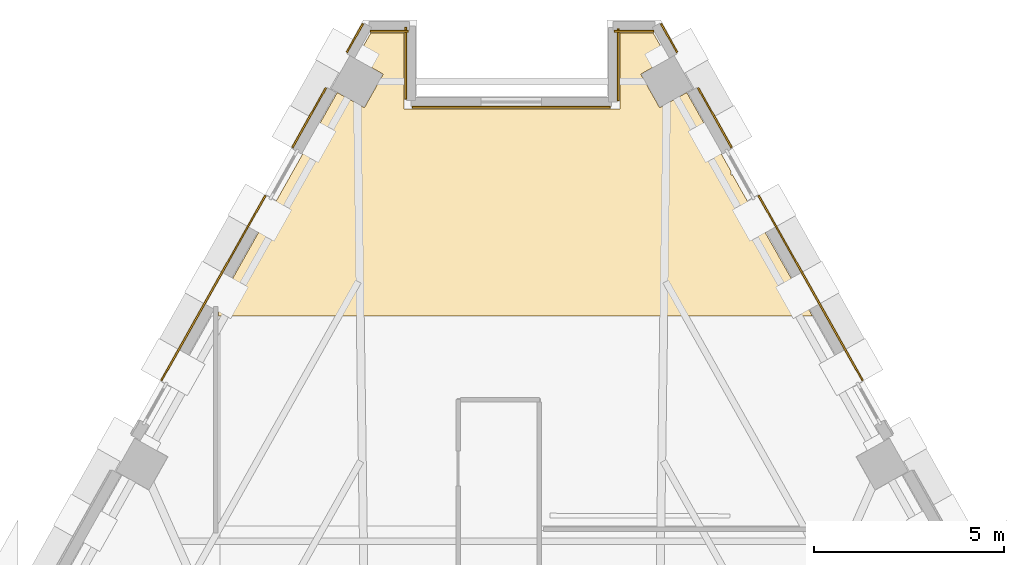
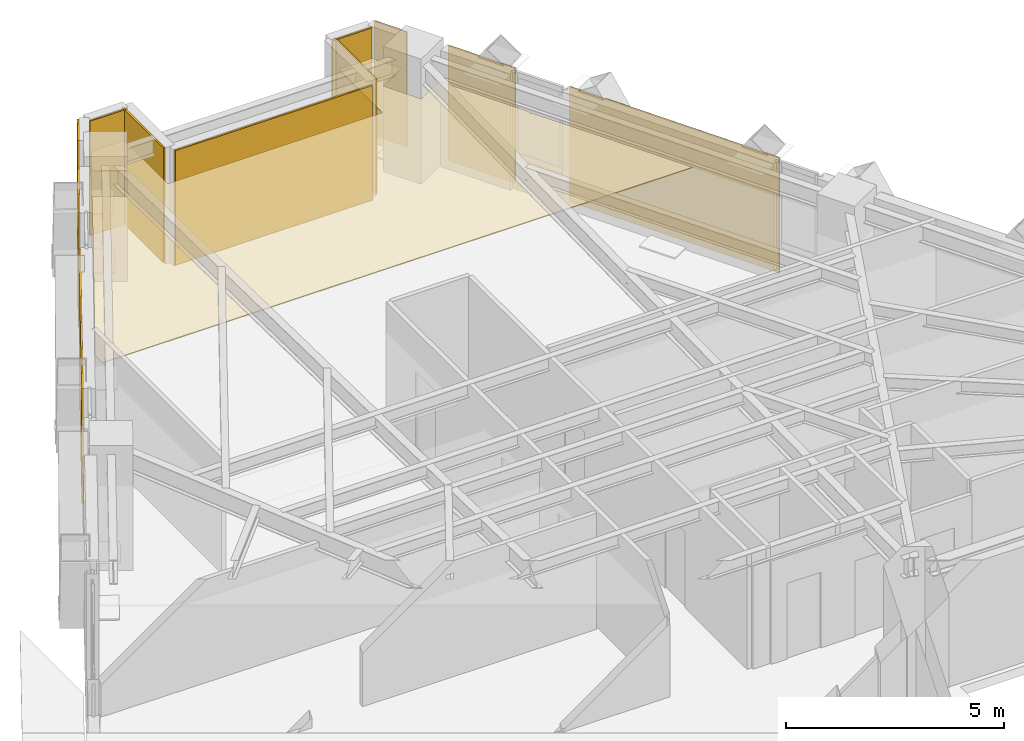
# One storey, part 13 of 13: 12 coverings.
"""IFC4 building model written with IfcOpenShell, lengths in metres."""

from ifc_helpers import new_model, si_unit, direction, frame, origin, place, context, subcontext, project, spatial, polyline, outline, extrude, material, layer, layer_set, type_object, element, save


model = new_model("IFC4")

# Units and contexts
model_context = context("Model", 3, precision=1e-05, world=origin(), true_north=direction((0.0, 1.0)))
body_context = subcontext(model_context, "Body", "Model", "MODEL_VIEW")
ifc_project = project(units=[si_unit("LENGTHUNIT", "METRE"), si_unit("AREAUNIT", "SQUARE_METRE"), si_unit("VOLUMEUNIT", "CUBIC_METRE"), si_unit("PLANEANGLEUNIT", "RADIAN"), si_unit("MASSUNIT", "GRAM", prefix="KILO")], contexts=[model_context])

# Site, building, storey
site_placement = place(None, origin())
site = spatial("IfcSite", under=ifc_project, at=site_placement, CompositionType="ELEMENT")
building_placement = place(site_placement, origin())
building = spatial("IfcBuilding", under=site, at=building_placement, Name="Quenlor Broadcast Tower", CompositionType="ELEMENT")
storey_placement = place(building_placement, frame((0.0, 0.0, 130.0)))
storey = spatial("IfcBuildingStorey", under=building, at=storey_placement, Name="L35", CompositionType="ELEMENT", Elevation=130.0)

# Coverings
ifc_material_1 = material(Name="Acoustic Mineral Fibre Board", Category="other")
ifc_layer_1 = layer(ifc_material_1, 0.02490234375)
ifc_layer_set_1 = layer_set([ifc_layer_1], Name="Acoustic Perforated Mineral Tile Ceiling 25")
covering_type_1 = type_object("IfcCoveringType", Name="Acoustic Perforated Mineral Tile Ceiling 25", PredefinedType="CEILING", material=ifc_layer_set_1)
covering_1_placement = place(storey_placement, frame((0.0, 0.0, 2.375)))
element("IfcCovering", 1, at=covering_1_placement, inside=storey, type_object=covering_type_1, Name="L35 Acoustic Ceiling L35-28-2", PredefinedType="CEILING", context=body_context, shape_type="SweptSolid", body=[
    extrude(outline(polyline([(-7.719970703125, 12.98193359375), (-4.598388671875, 18.53125), (-3.885498046875, 18.13037109375), (-3.387451171875, 19.015869140625), (-4.100341796875, 19.416748046875), (-3.71630859375, 20.10009765625), (-2.840087890625, 20.10009765625), (-2.840087890625, 18.10009765625), (2.840087890625, 18.10009765625), (2.840087890625, 20.10009765625), (3.71630859375, 20.10009765625), (4.100341796875, 19.416748046875), (3.387451171875, 19.015869140625), (3.885498046875, 18.13037109375), (4.598388671875, 18.53125), (5.760009765625, 16.466552734375), (5.760009765625, 16.343017578125), (5.773193359375, 16.3583984375), (5.795654296875, 16.377197265625), (7.525390625, 13.327880859375), (7.90673828125, 12.64990234375), (-7.719970703125, 12.64990234375), (-7.719970703125, 12.98193359375)])), origin(), (0.0, 0.0, 1.0), 0.02490234375),
])
ifc_material_2 = material(Name="Architectural Terracotta Ceramic", Category="masonry")
ifc_layer_2 = layer(ifc_material_2, 0.044921875)
ifc_layer_set_2 = layer_set([ifc_layer_2], Name="Fluted Terracotta Rainscreen Cladding Panel")
covering_type_2 = type_object("IfcCoveringType", Name="Fluted Terracotta Rainscreen Cladding Panel", PredefinedType="CLADDING", material=ifc_layer_set_2)
covering_2_placement = place(storey_placement, frame((0.0, 0.0, 0.02001953125)))
element("IfcCovering", 2, at=covering_2_placement, inside=storey, type_object=covering_type_2, Name="L35 Terracotta Rainscreen Cladding L35-SHD-NES0", PredefinedType="CLADDING", context=body_context, shape_type="SweptSolid", body=[
    extrude(outline(polyline([(3.904296875, 20.330810546875), (4.32861328125, 19.576171875), (4.367919921875, 19.59814453125), (3.943359375, 20.352783203125), (3.904296875, 20.330810546875)])), origin(), (0.0, 0.0, 1.0), 3.2099609375),
])
covering_3_placement = place(storey_placement, frame((0.0, 0.0, 0.02001953125)))
element("IfcCovering", 3, at=covering_3_placement, inside=storey, type_object=covering_type_2, Name="L35 Terracotta Rainscreen Cladding L35-NEA-SP1", PredefinedType="CLADDING", context=body_context, shape_type="SweptSolid", body=[
    extrude(outline(polyline([(4.880615234375, 18.635986328125), (5.760986328125, 17.070556640625), (5.80029296875, 17.092529296875), (4.919677734375, 18.657958984375), (4.880615234375, 18.635986328125)])), origin(), (0.0, 0.0, 1.0), 3.2099609375),
])
covering_4_placement = place(storey_placement, frame((0.0, 0.0, 0.02001953125)))
element("IfcCovering", 4, at=covering_4_placement, inside=storey, type_object=covering_type_2, Name="L35 Terracotta Rainscreen Cladding L35-NEA-SP2", PredefinedType="CLADDING", context=body_context, shape_type="SweptSolid", body=[
    extrude(outline(polyline([(6.4716796875, 15.806884765625), (9.208984375, 10.940673828125), (9.248291015625, 10.962646484375), (6.510986328125, 15.8291015625), (6.4716796875, 15.806884765625)])), origin(), (0.0, 0.0, 1.0), 3.2099609375),
])
covering_5_placement = place(storey_placement, frame((0.0, 0.0, 0.02001953125)))
element("IfcCovering", 5, at=covering_5_placement, inside=storey, type_object=covering_type_2, Name="L35 Terracotta Rainscreen Cladding L35-SHD-NWS1", PredefinedType="CLADDING", context=body_context, shape_type="SweptSolid", body=[
    extrude(outline(polyline([(-4.32861328125, 19.576171875), (-3.904296875, 20.330810546875), (-3.943359375, 20.352783203125), (-4.367919921875, 19.59814453125), (-4.32861328125, 19.576171875)])), origin(), (0.0, 0.0, 1.0), 3.2099609375),
])
covering_6_placement = place(storey_placement, frame((0.0, 0.0, 0.02001953125)))
element("IfcCovering", 6, at=covering_6_placement, inside=storey, type_object=covering_type_2, Name="L35 Terracotta Rainscreen Cladding L35-NWC-SP2", PredefinedType="CLADDING", context=body_context, shape_type="SweptSolid", body=[
    extrude(outline(polyline([(-9.208984375, 10.940673828125), (-6.4716796875, 15.806884765625), (-6.510986328125, 15.8291015625), (-9.248291015625, 10.962646484375), (-9.208984375, 10.940673828125)])), origin(), (0.0, 0.0, 1.0), 3.2099609375),
])
covering_7_placement = place(storey_placement, frame((0.0, 0.0, 0.02001953125)))
element("IfcCovering", 7, at=covering_7_placement, inside=storey, type_object=covering_type_2, Name="L35 Terracotta Rainscreen Cladding L35-NWC-SP3", PredefinedType="CLADDING", context=body_context, shape_type="SweptSolid", body=[
    extrude(outline(polyline([(-5.760986328125, 17.070556640625), (-4.880615234375, 18.635986328125), (-4.919677734375, 18.657958984375), (-5.80029296875, 17.092529296875), (-5.760986328125, 17.070556640625)])), origin(), (0.0, 0.0, 1.0), 3.2099609375),
])
covering_8_placement = place(storey_placement, frame((0.0, 0.0, 0.02001953125)))
element("IfcCovering", 8, at=covering_8_placement, inside=storey, type_object=covering_type_2, Name="L35 Terracotta Rainscreen Cladding L35-CNR-06", PredefinedType="CLADDING", context=body_context, shape_type="SweptSolid", body=[
    extrude(outline(polyline([(3.7314453125, 20.16796875), (2.68994140625, 20.16796875), (2.68994140625, 20.123046875), (3.7314453125, 20.123046875), (3.7314453125, 20.16796875)])), origin(), (0.0, 0.0, 1.0), 3.2099609375),
])
covering_9_placement = place(storey_placement, frame((0.0, 0.0, 0.02001953125)))
element("IfcCovering", 9, at=covering_9_placement, inside=storey, type_object=covering_type_2, Name="L35 Terracotta Rainscreen Cladding L35-CNR-07", PredefinedType="CLADDING", context=body_context, shape_type="SweptSolid", body=[
    extrude(outline(polyline([(2.77197265625, 20.2099609375), (2.77197265625, 18.31005859375), (2.81689453125, 18.31005859375), (2.81689453125, 20.2099609375), (2.77197265625, 20.2099609375)])), origin(), (0.0, 0.0, 1.0), 3.2099609375),
])
covering_10_placement = place(storey_placement, frame((0.0, 0.0, 0.02001953125)))
element("IfcCovering", 10, at=covering_10_placement, inside=storey, type_object=covering_type_2, Name="L35 Terracotta Rainscreen Cladding L35-CNR-08", PredefinedType="CLADDING", context=body_context, shape_type="SweptSolid", body=[
    extrude(outline(polyline([(2.590087890625, 18.16796875), (-2.6298828125, 18.16796875), (-2.6298828125, 18.123046875), (2.590087890625, 18.123046875), (2.590087890625, 18.16796875)])), origin(), (0.0, 0.0, 1.0), 3.2099609375),
])
covering_11_placement = place(storey_placement, frame((0.0, 0.0, 0.02001953125)))
element("IfcCovering", 11, at=covering_11_placement, inside=storey, type_object=covering_type_2, Name="L35 Terracotta Rainscreen Cladding L35-CNR-09", PredefinedType="CLADDING", context=body_context, shape_type="SweptSolid", body=[
    extrude(outline(polyline([(-2.77197265625, 18.35009765625), (-2.77197265625, 20.25), (-2.81689453125, 20.25), (-2.81689453125, 18.35009765625), (-2.77197265625, 18.35009765625)])), origin(), (0.0, 0.0, 1.0), 3.2099609375),
])
covering_12_placement = place(storey_placement, frame((0.0, 0.0, 0.02001953125)))
element("IfcCovering", 12, at=covering_12_placement, inside=storey, type_object=covering_type_2, Name="L35 Terracotta Rainscreen Cladding L35-CNR-10", PredefinedType="CLADDING", context=body_context, shape_type="SweptSolid", body=[
    extrude(outline(polyline([(-2.72998046875, 20.16796875), (-3.7314453125, 20.16796875), (-3.7314453125, 20.123046875), (-2.72998046875, 20.123046875), (-2.72998046875, 20.16796875)])), origin(), (0.0, 0.0, 1.0), 3.2099609375),
])

save(model, "model.ifc")
